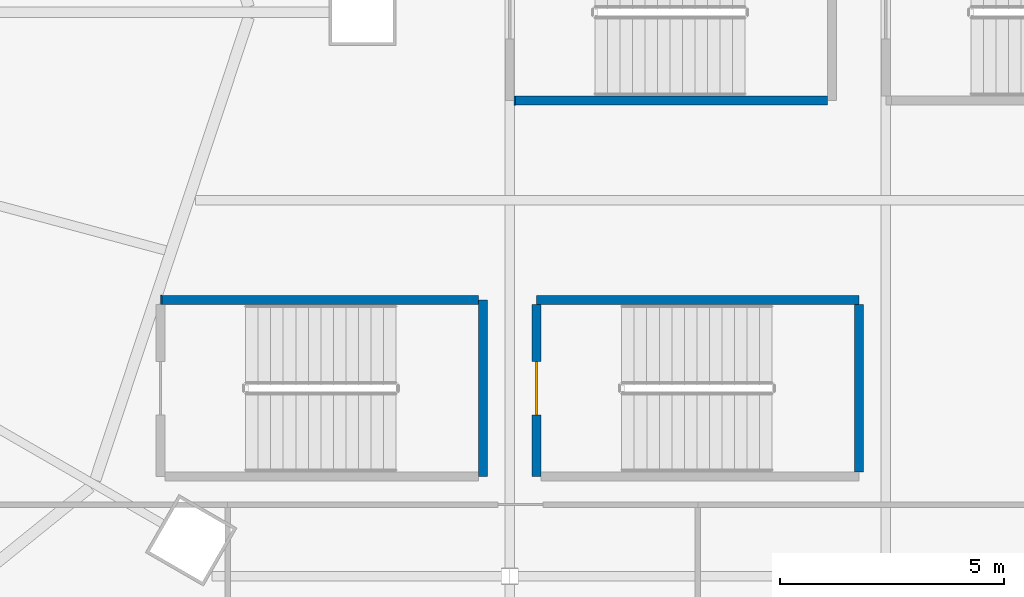
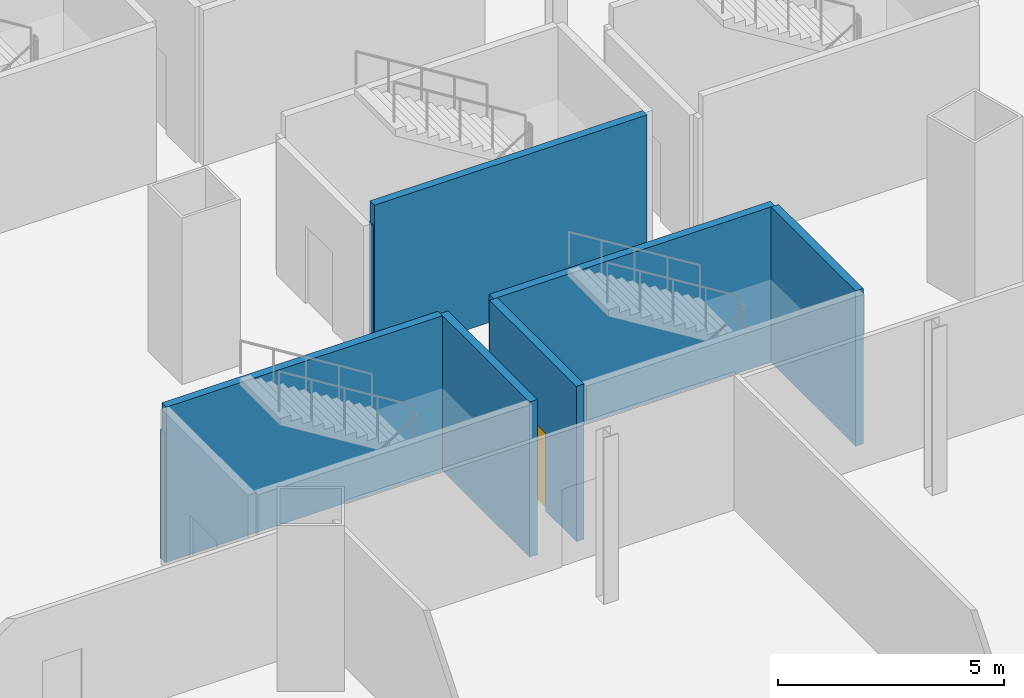
# One storey, part 34 of 52: 8 walls, 1 door, 1 opening.
"""IFC4 building model written with IfcOpenShell, lengths in metres."""

from ifc_helpers import new_model, si_unit, direction, frame, frame_2d, origin, place, context, subcontext, project, spatial, rectangle, extrude, material, layer, layer_set, type_object, element, fill, save


model = new_model("IFC4")

# Units and contexts
model_context = context("Model", 3, precision=1e-05, world=origin(), true_north=direction((0.0, 1.0)))
body_context = subcontext(model_context, "Body", "Model", "MODEL_VIEW")
ifc_project = project(units=[si_unit("LENGTHUNIT", "METRE"), si_unit("AREAUNIT", "SQUARE_METRE"), si_unit("VOLUMEUNIT", "CUBIC_METRE"), si_unit("PLANEANGLEUNIT", "RADIAN"), si_unit("MASSUNIT", "GRAM", prefix="KILO")], contexts=[model_context])

# Site, building, storey
site_placement = place(None, origin())
site = spatial("IfcSite", under=ifc_project, at=site_placement, CompositionType="ELEMENT")
building_placement = place(site_placement, origin())
building = spatial("IfcBuilding", under=site, at=building_placement, Name="Rimbun Link Towers", CompositionType="ELEMENT")
storey_placement = place(building_placement, frame((0.0, 0.0, 21.0)))
storey = spatial("IfcBuildingStorey", under=building, at=storey_placement, Name="L04", CompositionType="ELEMENT", Elevation=21.0)

# Walls
ifc_material_1 = material(Name="Concrete C40/50", Category="concrete")
ifc_layer = layer(ifc_material_1, 0.199951171875)
ifc_layer_set = layer_set([ifc_layer], Name="Stair shaft wall 200")
wall_type = type_object("IfcWallType", Name="Stair shaft wall 200", PredefinedType="SOLIDWALL", material=ifc_layer_set)
wall_1_placement = place(storey_placement, frame((-4.800048828125, -10.375, 0.0), z_axis=(0.0, 0.0, 1.0), x_axis=(0.0, 1.0, 0.0)))
element("IfcWall", 1, at=wall_1_placement, inside=storey, type_object=wall_type, Name="PD/PW/L04/001", PredefinedType="SOLIDWALL", context=body_context, shape_type="SweptSolid", body=[
    extrude(rectangle(XDim=3.949951171875, YDim=0.199951171875, at=frame_2d((1.97509765625, 0.0))), origin(), (0.0, 0.0, 1.0), 4.199951171875),
])
wall_2_placement = place(storey_placement, frame((-4.89990234375, -6.425048828125, 0.0), z_axis=(0.0, 0.0, 1.0), x_axis=(-1.0, 0.0, 0.0)))
element("IfcWall", 2, at=wall_2_placement, inside=storey, type_object=wall_type, Name="PD/PW/L04/002", PredefinedType="SOLIDWALL", context=body_context, shape_type="SweptSolid", body=[
    extrude(rectangle(XDim=7.068359375, YDim=0.199951171875, at=frame_2d((3.5341796875, 0.0))), origin(), (0.0, 0.0, 1.0), 4.199951171875),
])
wall_3_placement = place(storey_placement, frame((-11.96826171875, -6.425048828125, 0.0), z_axis=(0.0, 0.0, 1.0), x_axis=(-1.0, 0.0, 0.0)))
element("IfcWall", 3, at=wall_3_placement, inside=storey, type_object=wall_type, Name="PD/PW/L04/002b", PredefinedType="SOLIDWALL", context=body_context, shape_type="SweptSolid", body=[
    extrude(rectangle(XDim=0.03173828125, YDim=0.199951171875, at=frame_2d((0.015869140625, 0.0))), origin(), (0.0, 0.0, 1.0), 3.49609375),
])
wall_4_placement = place(storey_placement, frame((3.60009765625, -6.425048828125, 0.0), z_axis=(0.0, 0.0, 1.0), x_axis=(-1.0, 0.0, 0.0)))
element("IfcWall", 4, at=wall_4_placement, inside=storey, type_object=wall_type, Name="PD/PW/L04/005", PredefinedType="SOLIDWALL", context=body_context, shape_type="SweptSolid", body=[
    extrude(rectangle(XDim=7.2001953125, YDim=0.199951171875, at=frame_2d((3.60009765625, 0.0))), origin(), (0.0, 0.0, 1.0), 4.199951171875),
])

# Wall, opening, door
wall_5_placement = place(storey_placement, frame((-3.60009765625, -6.52490234375, 0.0), z_axis=(0.0, 0.0, 1.0), x_axis=(0.0, -1.0, 0.0)))
wall_5 = element("IfcWall", 5, at=wall_5_placement, inside=storey, type_object=wall_type, Name="PD/PW/L04/006", PredefinedType="SOLIDWALL", context=body_context, shape_type="SweptSolid", body=[
    extrude(rectangle(XDim=3.85009765625, YDim=0.199951171875, at=frame_2d((1.925048828125, 0.0))), origin(), (0.0, 0.0, 1.0), 4.199951171875),
])
opening_placement = place(wall_5_placement, frame((1.27490234375, 0.0, 0.0)))
opening = element("IfcOpeningElement", 6, at=opening_placement, cuts=wall_5, Name="Opening PD DS2", PredefinedType="OPENING", context=body_context, shape_type="SweptSolid", body=[
    extrude(rectangle(XDim=1.199951171875, YDim=2.10009765625, at=frame_2d((0.60009765625, 1.050048828125))), frame((0.0, 0.10986328125, 0.0), z_axis=(0.0, -1.0, 0.0), x_axis=(1.0, 0.0, 0.0)), (0.0, 0.0, 1.0), 0.219970703125),
])
ifc_material_2 = material(Name="Steel fire door set", Category="steel")
door_type = type_object("IfcDoorType", Name="Stair door", OperationType="SINGLE_SWING_LEFT", PredefinedType="DOOR", material=ifc_material_2)
door_placement = place(opening_placement, frame((1.199951171875, 0.0, 0.0), z_axis=(0.0, 0.0, 1.0), x_axis=(-1.0, 0.0, 0.0)))
door = element("IfcDoor", 7, at=door_placement, inside=storey, type_object=door_type, Name="PD/DR/L04/S2", OperationType="SINGLE_SWING_LEFT", OverallHeight=2.10009765625, OverallWidth=1.199951171875, PredefinedType="DOOR", context=body_context, shape_type="SweptSolid", body=[
    extrude(rectangle(XDim=1.199951171875, YDim=2.10009765625, at=frame_2d((0.60009765625, 1.050048828125))), frame((0.0, 0.02490234375, 0.0), z_axis=(0.0, -1.0, 0.0), x_axis=(1.0, 0.0, 0.0)), (0.0, 0.0, 1.0), 0.050048828125),
])
fill(opening, door)

# Walls
wall_6_placement = place(storey_placement, frame((3.60009765625, -10.27490234375, 0.0), z_axis=(0.0, 0.0, 1.0), x_axis=(0.0, 1.0, 0.0)))
element("IfcWall", 8, at=wall_6_placement, inside=storey, type_object=wall_type, Name="PD/PW/L04/008", PredefinedType="SOLIDWALL", context=body_context, shape_type="SweptSolid", body=[
    extrude(rectangle(XDim=3.75, YDim=0.199951171875, at=frame_2d((1.875, 0.0))), origin(), (0.0, 0.0, 1.0), 4.199951171875),
])
wall_7_placement = place(storey_placement, frame((-4.10009765625, -1.97509765625, 0.0), z_axis=(0.0, 0.0, 1.0), x_axis=(1.0, 0.0, 0.0)))
element("IfcWall", 9, at=wall_7_placement, inside=storey, type_object=wall_type, Name="PD/PW/L04/024", PredefinedType="SOLIDWALL", context=body_context, shape_type="SweptSolid", body=[
    extrude(rectangle(XDim=0.024658203125, YDim=0.199951171875, at=frame_2d((0.01220703125, 0.0))), origin(), (0.0, 0.0, 1.0), 3.64697265625),
])
wall_8_placement = place(storey_placement, frame((-4.075439453125, -1.97509765625, 0.0), z_axis=(0.0, 0.0, 1.0), x_axis=(1.0, 0.0, 0.0)))
element("IfcWall", 10, at=wall_8_placement, inside=storey, type_object=wall_type, Name="PD/PW/L04/024b", PredefinedType="SOLIDWALL", context=body_context, shape_type="SweptSolid", body=[
    extrude(rectangle(XDim=6.975341796875, YDim=0.199951171875, at=frame_2d((3.48779296875, 0.0))), origin(), (0.0, 0.0, 1.0), 4.199951171875),
])

save(model, "model.ifc")
